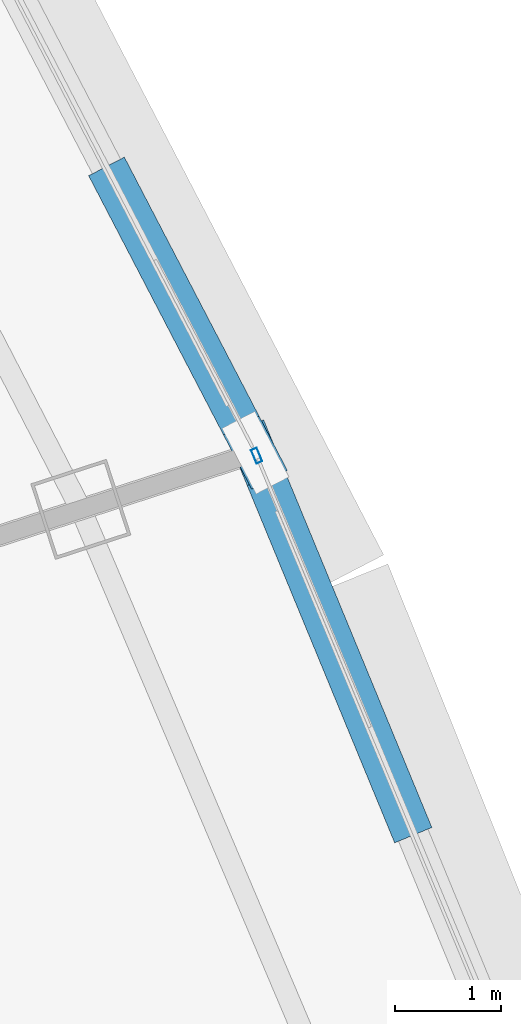
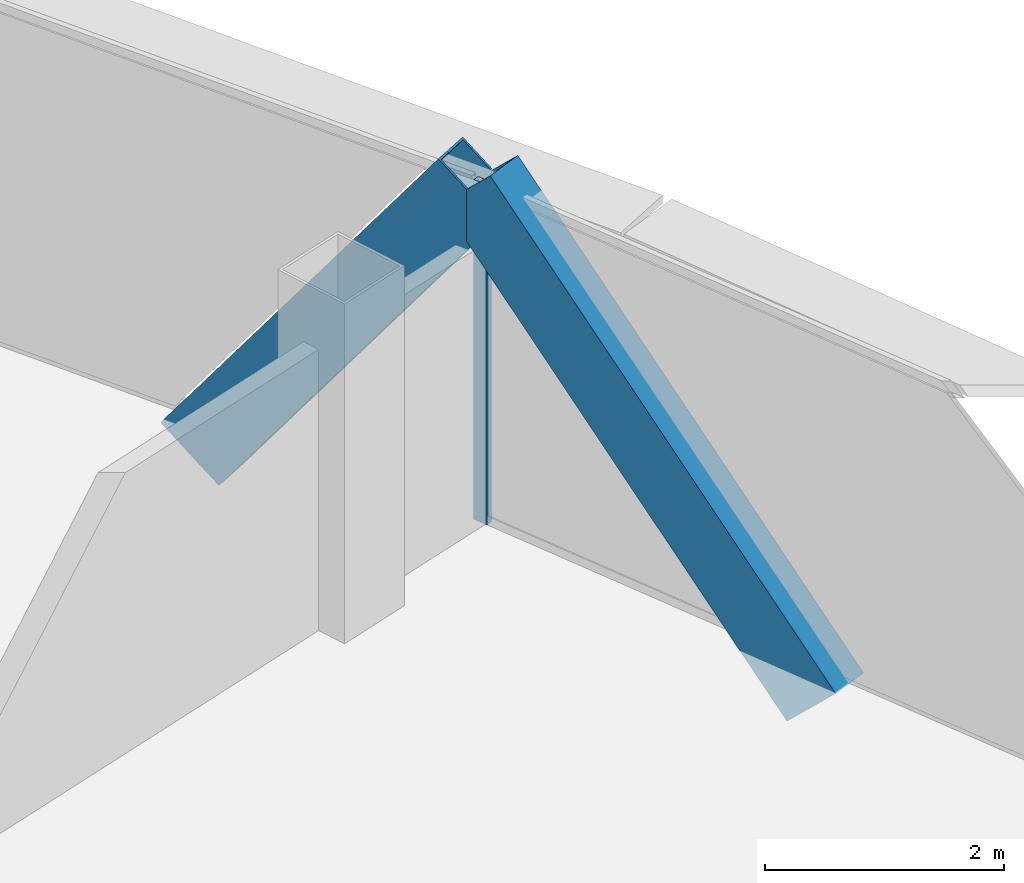
# One storey, part 17 of 35: 3 members, 1 element without a shape of its own.
"""IFC4 building model written with IfcOpenShell, lengths in metres."""

from ifc_helpers import new_model, si_unit, direction, frame, origin, origin_2d, place, context, subcontext, project, spatial, hollow_rectangle, extrude, source, transform, mapped, material, layer, layer_set, material_profile, profile_set, type_object, element, aggregate, save


model = new_model("IFC4")

# Units and contexts
model_context = context("Model", 3, precision=1e-05, world=origin(), true_north=direction((0.0, 1.0)))
body_context = subcontext(model_context, "Body", "Model", "MODEL_VIEW")
ifc_project = project(units=[si_unit("LENGTHUNIT", "METRE"), si_unit("AREAUNIT", "SQUARE_METRE"), si_unit("VOLUMEUNIT", "CUBIC_METRE"), si_unit("PLANEANGLEUNIT", "RADIAN"), si_unit("MASSUNIT", "GRAM", prefix="KILO"), si_unit("THERMODYNAMICTEMPERATUREUNIT", "KELVIN"), si_unit("POWERUNIT", "WATT")], contexts=[model_context])

# Site, building, storey
site_placement = place(None, origin())
site = spatial("IfcSite", under=ifc_project, at=site_placement, CompositionType="ELEMENT")
building_placement = place(site_placement, origin())
building = spatial("IfcBuilding", under=site, at=building_placement, Name="Yunzhuo Pagoda Commons", CompositionType="ELEMENT")
storey_placement = place(building_placement, frame((0.0, 0.0, 299.93994140625)))
storey = spatial("IfcBuildingStorey", under=building, at=storey_placement, Name="L75", CompositionType="ELEMENT", Elevation=299.93994140625)

# Members
ifc_material_1 = material(Name="Structural steel Q355B", Category="steel")
ifc_material_profile_1 = material_profile(ifc_material_1, hollow_rectangle(XDim=0.3798828125, YDim=0.719970703125, WallThickness=0.02001953125, at=origin_2d()), Name="Structural steel Q355B")
ifc_profile_set_1 = profile_set([ifc_material_profile_1], Name="Structural steel Q355B")
member_type_1 = type_object("IfcMemberType", Name="M-DL3 Brace BOX 720x380x20", PredefinedType="BRACE", material=ifc_profile_set_1)
shared_shape_1 = source(origin(), body_context, "Body", "SweptSolid", [
    extrude(hollow_rectangle(XDim=0.3798828125, YDim=0.719970703125, WallThickness=0.02001953125, at=origin_2d()), origin(), (0.0, 0.0, 1.0), 5.216796875),
])
member_1_placement = place(storey_placement, frame((74.34130859375, 38.43505859375, -0.260009765625), z_axis=(-0.266701220847, 0.646278971731, 0.714978286032), x_axis=(-0.924382550645, -0.38146677452, 0.0)))
element("IfcMember", 1, at=member_1_placement, inside=storey, type_object=member_type_1, Name="L75 facade diamond brace F2.1R", PredefinedType="BRACE", context=body_context, shape_type="MappedRepresentation", body=[
    mapped(shared_shape_1, transform((0.0, 0.0, 0.0), scale=1.0)),
])
shared_shape_2 = source(origin(), body_context, "Body", "SweptSolid", [
    extrude(hollow_rectangle(XDim=0.3798828125, YDim=0.719970703125, WallThickness=0.02001953125, at=origin_2d()), origin(), (0.0, 0.0, 1.0), 4.637451171875),
])
member_2_placement = place(storey_placement, frame((71.67822265625, 44.251220703125, -0.260009765625), z_axis=(0.274229639101, -0.527137910601, 0.804315689419), x_axis=(0.887135553704, 0.461508948292, 0.0)))
element("IfcMember", 2, at=member_2_placement, inside=storey, type_object=member_type_1, Name="L75 facade diamond brace F2.2L", PredefinedType="BRACE", context=body_context, shape_type="MappedRepresentation", body=[
    mapped(shared_shape_2, transform((0.0, 0.0, 0.0), scale=1.0)),
])

# Curtain wall, member
ifc_material_2 = material(Name="Anodized aluminium 6063-T6", Category="aluminium")
ifc_layer = layer(ifc_material_2, 0.139892578125)
ifc_layer_set = layer_set([ifc_layer], Name="Anodized aluminium 6063-T6")
curtain_wall_type = type_object("IfcCurtainWallType", Name="CW-HI High-Zone Ribbon Curtain Wall", PredefinedType="NOTDEFINED", material=ifc_layer_set)
curtain_wall_placement = place(storey_placement, origin())
curtain_wall = element("IfcCurtainWall", 3, at=curtain_wall_placement, inside=storey, type_object=curtain_wall_type, Name="L75 curtain wall CW-L75-F2B2", PredefinedType="NOTDEFINED")
ifc_material_profile_2 = material_profile(ifc_material_2, hollow_rectangle(XDim=0.06005859375, YDim=0.139892578125, WallThickness=0.00341796875, at=origin_2d()), Name="Anodized aluminium 6063-T6")
ifc_profile_set_2 = profile_set([ifc_material_profile_2], Name="Anodized aluminium 6063-T6")
member_type_2 = type_object("IfcMemberType", Name="CW-HI-M Mullion RHS 140x60x3.5", PredefinedType="MULLION", material=ifc_profile_set_2)
shared_shape_3 = source(origin(), body_context, "Body", "SweptSolid", [
    extrude(hollow_rectangle(XDim=0.06005859375, YDim=0.139892578125, WallThickness=0.00341796875, at=origin_2d()), origin(), (0.0, 0.0, 1.0), 3.469970703125),
])
member_3_placement = place(storey_placement, frame((72.961669921875, 41.779052734375, 0.0), z_axis=(0.0, 0.0, 1.0), x_axis=(-0.922876210298, -0.385096741697, 0.0)))
member_3 = element("IfcMember", 4, at=member_3_placement, type_object=member_type_2, Name="CW mullion 2", PredefinedType="MULLION", context=body_context, shape_type="MappedRepresentation", body=[
    mapped(shared_shape_3, transform((0.0, 0.0, 0.0), scale=1.0)),
])
aggregate(curtain_wall, [member_3])

save(model, "model.ifc")
